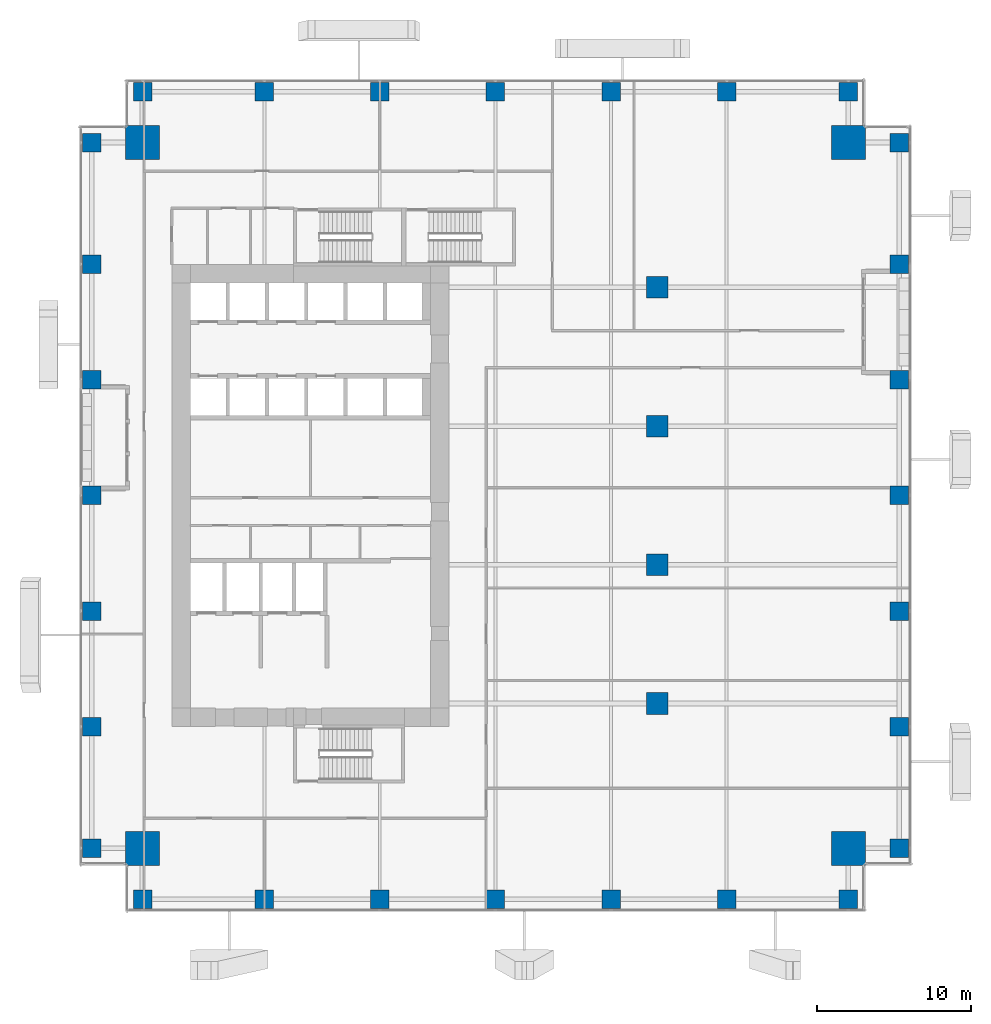
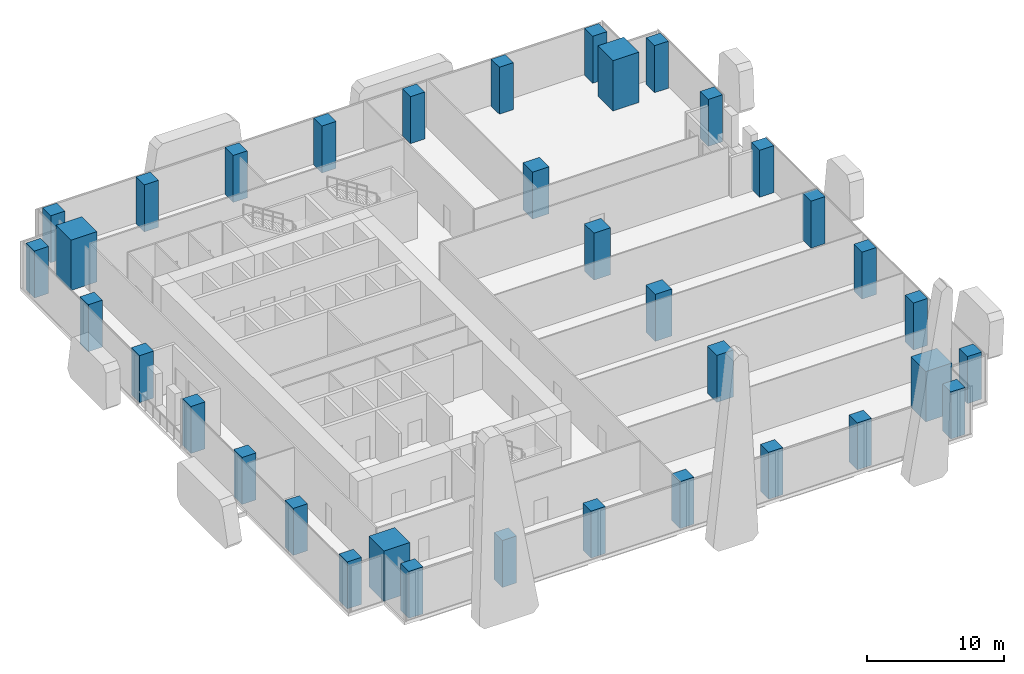
# One storey, part 1 of 35: 36 columns.
"""IFC4 building model written with IfcOpenShell, lengths in metres."""

from ifc_helpers import new_model, si_unit, direction, frame, origin, origin_2d, place, context, subcontext, project, spatial, rectangle, extrude, source, transform, mapped, material, material_profile, profile_set, type_object, element, save


model = new_model("IFC4")

# Units and contexts
model_context = context("Model", 3, precision=1e-05, world=origin(), true_north=direction((0.0, 1.0)))
body_context = subcontext(model_context, "Body", "Model", "MODEL_VIEW")
ifc_project = project(units=[si_unit("LENGTHUNIT", "METRE"), si_unit("AREAUNIT", "SQUARE_METRE"), si_unit("VOLUMEUNIT", "CUBIC_METRE"), si_unit("PLANEANGLEUNIT", "RADIAN"), si_unit("MASSUNIT", "GRAM", prefix="KILO")], contexts=[model_context])

# Site, building, storey
site_placement = place(None, origin())
site = spatial("IfcSite", under=ifc_project, at=site_placement, CompositionType="ELEMENT")
building_placement = place(site_placement, origin())
building = spatial("IfcBuilding", under=site, at=building_placement, Name="Khomas Fold Tower", CompositionType="ELEMENT")
storey_placement = place(building_placement, frame((0.0, 0.0, 69.0)))
storey = spatial("IfcBuildingStorey", under=building, at=storey_placement, Name="L14", CompositionType="ELEMENT", Elevation=69.0)

# Columns
ifc_material_1 = material(Name="Concrete C70/85", Category="concrete")
ifc_material_profile_1 = material_profile(ifc_material_1, rectangle(XDim=2.199951171875, YDim=2.199951171875, at=origin_2d()), Name="RC 2200x2200")
ifc_profile_set_1 = profile_set([ifc_material_profile_1], Name="Concrete C70/85")
column_type_1 = type_object("IfcColumnType", Name="RC 2200x2200 column", PredefinedType="COLUMN", material=ifc_profile_set_1)
shared_shape_1 = source(origin(), body_context, "Body", "SweptSolid", [
    extrude(rectangle(XDim=2.199951171875, YDim=2.199951171875, at=origin_2d()), origin(), (0.0, 0.0, 1.0), 4.5),
])
for number, where, z_axis, x_axis, name in (
    (1, (49.89990234375, 49.89990234375, 0.0), (0.0, 0.0, 1.0), (1.0, 0.0, 0.0), "CM-NE"),
    (2, (4.10009765625, 49.89990234375, 0.0), (0.0, 0.0, 1.0), (1.0, 0.0, 0.0), "CM-NW"),
    (3, (49.89990234375, 4.10009765625, 0.0), (0.0, 0.0, 1.0), (1.0, 0.0, 0.0), "CM-SE"),
    (4, (4.10009765625, 4.10009765625, 0.0), (0.0, 0.0, 1.0), (1.0, 0.0, 0.0), "CM-SW"),
):
    element("IfcColumn", number, at=place(storey_placement, frame(where, z_axis=z_axis, x_axis=x_axis)), inside=storey, type_object=column_type_1, Name=name, PredefinedType="COLUMN", context=body_context, shape_type="MappedRepresentation", body=[
        mapped(shared_shape_1, transform((0.0, 0.0, 0.0))),
    ])
ifc_material_2 = material(Name="Concrete C60/75", Category="concrete")
ifc_material_profile_2 = material_profile(ifc_material_2, rectangle(XDim=1.199951171875, YDim=1.199951171875, at=origin_2d()), Name="RC 1200x1200")
ifc_profile_set_2 = profile_set([ifc_material_profile_2], Name="Concrete C60/75")
column_type_2 = type_object("IfcColumnType", Name="RC 1200x1200 column", PredefinedType="COLUMN", material=ifc_profile_set_2)
shared_shape_2 = source(origin(), body_context, "Body", "SweptSolid", [
    extrude(rectangle(XDim=1.199951171875, YDim=1.199951171875, at=origin_2d()), origin(), (0.0, 0.0, 1.0), 4.199951171875),
])
for number, where, z_axis, x_axis, name in (
    (5, (4.10009765625, 0.800048828125, 0.0), (0.0, 0.0, 1.0), (1.0, 0.0, 0.0), "C-2-SF1"),
    (6, (12.0, 0.800048828125, 0.0), (0.0, 0.0, 1.0), (1.0, 0.0, 0.0), "C-6-SF1"),
    (7, (19.5, 0.800048828125, 0.0), (0.0, 0.0, 1.0), (1.0, 0.0, 0.0), "C-8-SF1"),
    (8, (27.0, 0.800048828125, 0.0), (0.0, 0.0, 1.0), (1.0, 0.0, 0.0), "C-9-SF1"),
    (9, (34.5, 0.800048828125, 0.0), (0.0, 0.0, 1.0), (1.0, 0.0, 0.0), "C-10-SF1"),
    (10, (42.0, 0.800048828125, 0.0), (0.0, 0.0, 1.0), (1.0, 0.0, 0.0), "C-13-SF1"),
    (11, (49.89990234375, 0.800048828125, 0.0), (0.0, 0.0, 1.0), (1.0, 0.0, 0.0), "C-17-SF1"),
    (12, (53.199951171875, 4.10009765625, 0.0), (0.0, 0.0, 1.0), (1.0, 0.0, 0.0), "C-E1-A"),
    (13, (53.199951171875, 12.0, 0.0), (0.0, 0.0, 1.0), (1.0, 0.0, 0.0), "C-E1-F"),
    (14, (53.199951171875, 19.5, 0.0), (0.0, 0.0, 1.0), (1.0, 0.0, 0.0), "C-E1-J"),
    (15, (53.199951171875, 27.0, 0.0), (0.0, 0.0, 1.0), (1.0, 0.0, 0.0), "C-E1-L"),
    (16, (53.199951171875, 34.5, 0.0), (0.0, 0.0, 1.0), (1.0, 0.0, 0.0), "C-E1-N"),
    (17, (53.199951171875, 42.0, 0.0), (0.0, 0.0, 1.0), (1.0, 0.0, 0.0), "C-E1-R"),
    (18, (53.199951171875, 49.89990234375, 0.0), (0.0, 0.0, 1.0), (1.0, 0.0, 0.0), "C-E1-W"),
    (19, (4.10009765625, 53.199951171875, 0.0), (0.0, 0.0, 1.0), (1.0, 0.0, 0.0), "C-2-NF1"),
    (20, (12.0, 53.199951171875, 0.0), (0.0, 0.0, 1.0), (1.0, 0.0, 0.0), "C-6-NF1"),
    (21, (19.5, 53.199951171875, 0.0), (0.0, 0.0, 1.0), (1.0, 0.0, 0.0), "C-8-NF1"),
    (22, (27.0, 53.199951171875, 0.0), (0.0, 0.0, 1.0), (1.0, 0.0, 0.0), "C-9-NF1"),
    (23, (34.5, 53.199951171875, 0.0), (0.0, 0.0, 1.0), (1.0, 0.0, 0.0), "C-10-NF1"),
    (24, (42.0, 53.199951171875, 0.0), (0.0, 0.0, 1.0), (1.0, 0.0, 0.0), "C-13-NF1"),
    (25, (49.89990234375, 53.199951171875, 0.0), (0.0, 0.0, 1.0), (1.0, 0.0, 0.0), "C-17-NF1"),
    (26, (0.800048828125, 4.10009765625, 0.0), (0.0, 0.0, 1.0), (1.0, 0.0, 0.0), "C-W1-A"),
    (27, (0.800048828125, 12.0, 0.0), (0.0, 0.0, 1.0), (1.0, 0.0, 0.0), "C-W1-F"),
    (28, (0.800048828125, 19.5, 0.0), (0.0, 0.0, 1.0), (1.0, 0.0, 0.0), "C-W1-J"),
    (29, (0.800048828125, 27.0, 0.0), (0.0, 0.0, 1.0), (1.0, 0.0, 0.0), "C-W1-L"),
    (30, (0.800048828125, 34.5, 0.0), (0.0, 0.0, 1.0), (1.0, 0.0, 0.0), "C-W1-N"),
    (31, (0.800048828125, 42.0, 0.0), (0.0, 0.0, 1.0), (1.0, 0.0, 0.0), "C-W1-R"),
    (32, (0.800048828125, 49.89990234375, 0.0), (0.0, 0.0, 1.0), (1.0, 0.0, 0.0), "C-W1-W"),
):
    element("IfcColumn", number, at=place(storey_placement, frame(where, z_axis=z_axis, x_axis=x_axis)), inside=storey, type_object=column_type_2, Name=name, PredefinedType="COLUMN", context=body_context, shape_type="MappedRepresentation", body=[
        mapped(shared_shape_2, transform((0.0, 0.0, 0.0))),
    ])
ifc_material_3 = material(Name="Concrete C60/75", Category="concrete")
ifc_material_profile_3 = material_profile(ifc_material_3, rectangle(XDim=1.39990234375, YDim=1.39990234375, at=origin_2d()), Name="RC 1400x1400")
ifc_profile_set_3 = profile_set([ifc_material_profile_3], Name="Concrete C60/75")
column_type_3 = type_object("IfcColumnType", Name="RC 1400x1400 column", PredefinedType="COLUMN", material=ifc_profile_set_3)
shared_shape_3 = source(origin(), body_context, "Body", "SweptSolid", [
    extrude(rectangle(XDim=1.39990234375, YDim=1.39990234375, at=origin_2d()), origin(), (0.0, 0.0, 1.0), 4.199951171875),
])
for number, where, z_axis, x_axis, name in (
    (33, (37.5, 13.5, 0.0), (0.0, 0.0, 1.0), (1.0, 0.0, 0.0), "C-11-H"),
    (34, (37.5, 22.5, 0.0), (0.0, 0.0, 1.0), (1.0, 0.0, 0.0), "C-11-K"),
    (35, (37.5, 31.5, 0.0), (0.0, 0.0, 1.0), (1.0, 0.0, 0.0), "C-11-M"),
    (36, (37.5, 40.5, 0.0), (0.0, 0.0, 1.0), (1.0, 0.0, 0.0), "C-11-P"),
):
    element("IfcColumn", number, at=place(storey_placement, frame(where, z_axis=z_axis, x_axis=x_axis)), inside=storey, type_object=column_type_3, Name=name, PredefinedType="COLUMN", context=body_context, shape_type="MappedRepresentation", body=[
        mapped(shared_shape_3, transform((0.0, 0.0, 0.0))),
    ])

save(model, "model.ifc")
